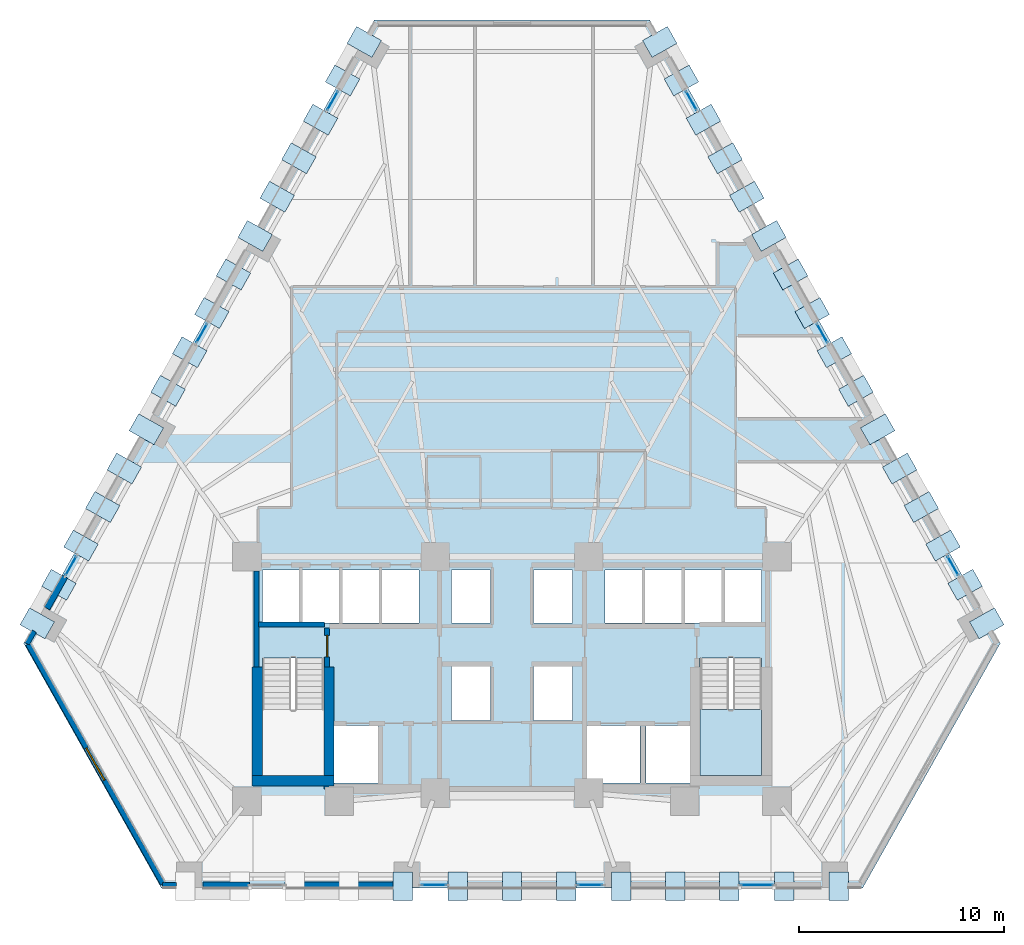
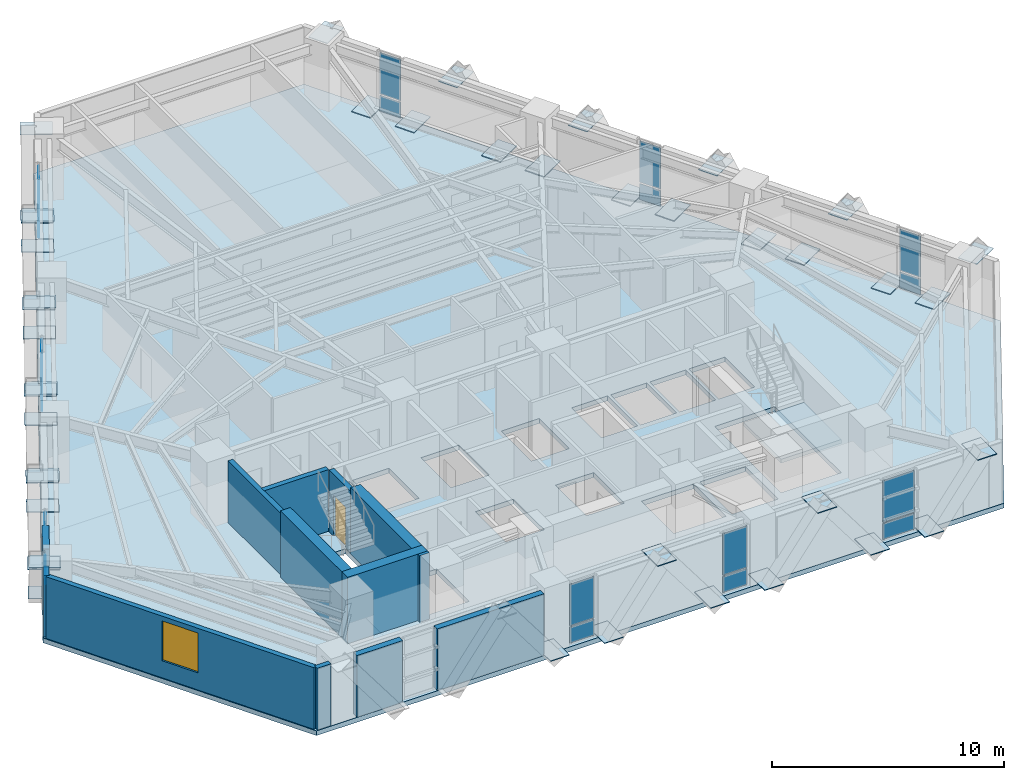
# One storey, part 6 of 13: 59 plates, 12 walls, 2 slabs, 1 door, 1 window, 2 openings, 10 elements without a shape of their own.
"""IFC4 building model written with IfcOpenShell, lengths in metres."""

from ifc_helpers import new_model, si_unit, direction, frame, frame_2d, origin, origin_2d, place, context, subcontext, project, spatial, polyline, rectangle, outline, extrude, material, layer, layer_set, type_object, element, fill, aggregate, save


model = new_model("IFC4")

# Units and contexts
model_context = context("Model", 3, precision=1e-05, world=origin(), true_north=direction((0.0, 1.0)))
body_context = subcontext(model_context, "Body", "Model", "MODEL_VIEW")
ifc_project = project(units=[si_unit("LENGTHUNIT", "METRE"), si_unit("AREAUNIT", "SQUARE_METRE"), si_unit("VOLUMEUNIT", "CUBIC_METRE"), si_unit("PLANEANGLEUNIT", "RADIAN"), si_unit("MASSUNIT", "GRAM", prefix="KILO")], contexts=[model_context])

# Site, building, storey
site_placement = place(None, origin())
site = spatial("IfcSite", under=ifc_project, at=site_placement, CompositionType="ELEMENT")
building_placement = place(site_placement, origin())
building = spatial("IfcBuilding", under=site, at=building_placement, Name="Quenlor Broadcast Tower", CompositionType="ELEMENT")
storey_placement = place(building_placement, frame((0.0, 0.0, 34.60009765625)))
storey = spatial("IfcBuildingStorey", under=building, at=storey_placement, Name="L08", CompositionType="ELEMENT", Elevation=34.60009765625)

# Curtain wall, plates
ifc_material_1 = material(Name="Architectural Terracotta and Low-E Glazing", Category="masonry")
curtain_wall_type = type_object("IfcCurtainWallType", Name="Unitised Terracotta Curtain Wall System Z1", PredefinedType="NOTDEFINED", material=ifc_material_1)
curtain_wall_1_placement = place(storey_placement, origin())
curtain_wall_1 = element("IfcCurtainWall", 1, at=curtain_wall_1_placement, inside=storey, type_object=curtain_wall_type, Name="L08 Curtain Wall CW1 (L08-SA-G1)", PredefinedType="NOTDEFINED")
ifc_material_2 = material(Name="Double Glazed Low-E Solar Glass", Category="glass")
ifc_layer_1 = layer(ifc_material_2, 0.031982421875)
ifc_layer_set_1 = layer_set([ifc_layer_1], Name="CW1 Double Glazed Vision Panel 32")
plate_type_1 = type_object("IfcPlateType", Name="CW1 Double Glazed Vision Panel 32", PredefinedType="CURTAIN_PANEL", material=ifc_layer_set_1)
plate_1_placement = place(storey_placement, frame((11.970703125, -20.840087890625, 0.079833984375), z_axis=(0.0, 0.0, 1.0), x_axis=(-1.0, 0.0, 0.0)))
plate_1 = element("IfcPlate", 2, at=plate_1_placement, type_object=plate_type_1, Name="CW1 panel 1.1", PredefinedType="CURTAIN_PANEL", context=body_context, shape_type="SweptSolid", body=[
    extrude(rectangle(XDim=1.568359375, YDim=0.031982421875, at=origin_2d()), origin(), (0.0, 0.0, 1.0), 0.830078125),
])
plate_2_placement = place(storey_placement, frame((11.970703125, -20.840087890625, 0.98974609375), z_axis=(0.0, 0.0, 1.0), x_axis=(-1.0, 0.0, 0.0)))
plate_2 = element("IfcPlate", 3, at=plate_2_placement, type_object=plate_type_1, Name="CW1 panel 1.2", PredefinedType="CURTAIN_PANEL", context=body_context, shape_type="SweptSolid", body=[
    extrude(rectangle(XDim=1.568359375, YDim=0.031982421875, at=origin_2d()), origin(), (0.0, 0.0, 1.0), 2.179931640625),
])
aggregate(curtain_wall_1, [plate_1, plate_2])

curtain_wall_2_placement = place(storey_placement, origin())
curtain_wall_2 = element("IfcCurtainWall", 4, at=curtain_wall_2_placement, inside=storey, type_object=curtain_wall_type, Name="L08 Curtain Wall CW1 (L08-S-G1)", PredefinedType="NOTDEFINED")
plate_3_placement = place(storey_placement, frame((3.81103515625, -20.840087890625, 0.079833984375), z_axis=(0.0, 0.0, 1.0), x_axis=(-1.0, 0.0, 0.0)))
plate_3 = element("IfcPlate", 5, at=plate_3_placement, type_object=plate_type_1, Name="CW1 panel 1.1", PredefinedType="CURTAIN_PANEL", context=body_context, shape_type="SweptSolid", body=[
    extrude(rectangle(XDim=1.209716796875, YDim=0.031982421875, at=origin_2d()), origin(), (0.0, 0.0, 1.0), 0.830078125),
])
plate_4_placement = place(storey_placement, frame((3.81103515625, -20.840087890625, 0.98974609375), z_axis=(0.0, 0.0, 1.0), x_axis=(-1.0, 0.0, 0.0)))
plate_4 = element("IfcPlate", 6, at=plate_4_placement, type_object=plate_type_1, Name="CW1 panel 1.2", PredefinedType="CURTAIN_PANEL", context=body_context, shape_type="SweptSolid", body=[
    extrude(rectangle(XDim=1.209716796875, YDim=0.031982421875, at=origin_2d()), origin(), (0.0, 0.0, 1.0), 2.179931640625),
])
aggregate(curtain_wall_2, [plate_3, plate_4])

curtain_wall_3_placement = place(storey_placement, origin())
curtain_wall_3 = element("IfcCurtainWall", 7, at=curtain_wall_3_placement, inside=storey, type_object=curtain_wall_type, Name="L08 Curtain Wall CW1 (L08-S-G2)", PredefinedType="NOTDEFINED")
plate_5_placement = place(storey_placement, frame((-3.81103515625, -20.840087890625, 0.079833984375), z_axis=(0.0, 0.0, 1.0), x_axis=(-1.0, 0.0, 0.0)))
plate_5 = element("IfcPlate", 8, at=plate_5_placement, type_object=plate_type_1, Name="CW1 panel 1.1", PredefinedType="CURTAIN_PANEL", context=body_context, shape_type="SweptSolid", body=[
    extrude(rectangle(XDim=1.209716796875, YDim=0.031982421875, at=origin_2d()), origin(), (0.0, 0.0, 1.0), 0.830078125),
])
plate_6_placement = place(storey_placement, frame((-3.81103515625, -20.840087890625, 0.98974609375), z_axis=(0.0, 0.0, 1.0), x_axis=(-1.0, 0.0, 0.0)))
plate_6 = element("IfcPlate", 9, at=plate_6_placement, type_object=plate_type_1, Name="CW1 panel 1.2", PredefinedType="CURTAIN_PANEL", context=body_context, shape_type="SweptSolid", body=[
    extrude(rectangle(XDim=1.209716796875, YDim=0.031982421875, at=origin_2d()), origin(), (0.0, 0.0, 1.0), 2.179931640625),
])
aggregate(curtain_wall_3, [plate_5, plate_6])

curtain_wall_4_placement = place(storey_placement, origin())
curtain_wall_4 = element("IfcCurtainWall", 10, at=curtain_wall_4_placement, inside=storey, type_object=curtain_wall_type, Name="L08 Curtain Wall CW1 (L08-NEA-G1)", PredefinedType="NOTDEFINED")
plate_7_placement = place(storey_placement, frame((8.766845703125, 17.48779296875, 0.079833984375), z_axis=(0.0, 0.0, 1.0), x_axis=(0.490214053392, -0.871602077703, 0.0)))
plate_7 = element("IfcPlate", 11, at=plate_7_placement, type_object=plate_type_1, Name="CW1 panel 1.1", PredefinedType="CURTAIN_PANEL", context=body_context, shape_type="SweptSolid", body=[
    extrude(rectangle(XDim=1.04736328125, YDim=0.031982421875, at=origin_2d()), origin(), (0.0, 0.0, 1.0), 0.830078125),
])
plate_8_placement = place(storey_placement, frame((8.766845703125, 17.48779296875, 0.98974609375), z_axis=(0.0, 0.0, 1.0), x_axis=(0.490214053392, -0.871602077703, 0.0)))
plate_8 = element("IfcPlate", 12, at=plate_8_placement, type_object=plate_type_1, Name="CW1 panel 1.2", PredefinedType="CURTAIN_PANEL", context=body_context, shape_type="SweptSolid", body=[
    extrude(rectangle(XDim=1.04736328125, YDim=0.031982421875, at=origin_2d()), origin(), (0.0, 0.0, 1.0), 2.179931640625),
])
aggregate(curtain_wall_4, [plate_7, plate_8])

curtain_wall_5_placement = place(storey_placement, origin())
curtain_wall_5 = element("IfcCurtainWall", 13, at=curtain_wall_5_placement, inside=storey, type_object=curtain_wall_type, Name="L08 Curtain Wall CW1 (L08-NEC-G1)", PredefinedType="NOTDEFINED")
plate_9_placement = place(storey_placement, frame((21.553955078125, -5.24462890625, 0.079833984375), z_axis=(0.0, 0.0, 1.0), x_axis=(0.490214053392, -0.871602077703, 0.0)))
plate_9 = element("IfcPlate", 14, at=plate_9_placement, type_object=plate_type_1, Name="CW1 panel 1.1", PredefinedType="CURTAIN_PANEL", context=body_context, shape_type="SweptSolid", body=[
    extrude(rectangle(XDim=1.04736328125, YDim=0.031982421875, at=origin_2d()), origin(), (0.0, 0.0, 1.0), 0.830078125),
])
plate_10_placement = place(storey_placement, frame((21.553955078125, -5.24462890625, 0.98974609375), z_axis=(0.0, 0.0, 1.0), x_axis=(0.490214053392, -0.871602077703, 0.0)))
plate_10 = element("IfcPlate", 15, at=plate_10_placement, type_object=plate_type_1, Name="CW1 panel 1.2", PredefinedType="CURTAIN_PANEL", context=body_context, shape_type="SweptSolid", body=[
    extrude(rectangle(XDim=1.04736328125, YDim=0.031982421875, at=origin_2d()), origin(), (0.0, 0.0, 1.0), 2.179931640625),
])
aggregate(curtain_wall_5, [plate_9, plate_10])

curtain_wall_6_placement = place(storey_placement, origin())
curtain_wall_6 = element("IfcCurtainWall", 16, at=curtain_wall_6_placement, inside=storey, type_object=curtain_wall_type, Name="L08 Curtain Wall CW1 (L08-NE-G1)", PredefinedType="NOTDEFINED")
plate_11_placement = place(storey_placement, frame((15.160400390625, 6.12158203125, 0.079833984375), z_axis=(0.0, 0.0, 1.0), x_axis=(0.49027696742, -0.871566690057, 0.0)))
plate_11 = element("IfcPlate", 17, at=plate_11_placement, type_object=plate_type_1, Name="CW1 panel 1.1", PredefinedType="CURTAIN_PANEL", context=body_context, shape_type="SweptSolid", body=[
    extrude(rectangle(XDim=1.04736328125, YDim=0.031982421875, at=origin_2d()), origin(), (0.0, 0.0, 1.0), 0.830078125),
])
plate_12_placement = place(storey_placement, frame((15.160400390625, 6.12158203125, 0.98974609375), z_axis=(0.0, 0.0, 1.0), x_axis=(0.49027696742, -0.871566690057, 0.0)))
plate_12 = element("IfcPlate", 18, at=plate_12_placement, type_object=plate_type_1, Name="CW1 panel 1.2", PredefinedType="CURTAIN_PANEL", context=body_context, shape_type="SweptSolid", body=[
    extrude(rectangle(XDim=1.04736328125, YDim=0.031982421875, at=origin_2d()), origin(), (0.0, 0.0, 1.0), 2.179931640625),
])
aggregate(curtain_wall_6, [plate_11, plate_12])

curtain_wall_7_placement = place(storey_placement, origin())
curtain_wall_7 = element("IfcCurtainWall", 19, at=curtain_wall_7_placement, inside=storey, type_object=curtain_wall_type, Name="L08 Curtain Wall CW1 (L08-NWA-G1)", PredefinedType="NOTDEFINED")
plate_13_placement = place(storey_placement, frame((-21.553955078125, -5.24462890625, 0.079833984375), z_axis=(0.0, 0.0, 1.0), x_axis=(0.490214053392, 0.871602077703, 0.0)))
plate_13 = element("IfcPlate", 20, at=plate_13_placement, type_object=plate_type_1, Name="CW1 panel 1.1", PredefinedType="CURTAIN_PANEL", context=body_context, shape_type="SweptSolid", body=[
    extrude(rectangle(XDim=1.04736328125, YDim=0.031982421875, at=origin_2d()), origin(), (0.0, 0.0, 1.0), 0.830078125),
])
plate_14_placement = place(storey_placement, frame((-21.553955078125, -5.24462890625, 0.98974609375), z_axis=(0.0, 0.0, 1.0), x_axis=(0.490214053392, 0.871602077703, 0.0)))
plate_14 = element("IfcPlate", 21, at=plate_14_placement, type_object=plate_type_1, Name="CW1 panel 1.2", PredefinedType="CURTAIN_PANEL", context=body_context, shape_type="SweptSolid", body=[
    extrude(rectangle(XDim=1.04736328125, YDim=0.031982421875, at=origin_2d()), origin(), (0.0, 0.0, 1.0), 2.179931640625),
])
aggregate(curtain_wall_7, [plate_13, plate_14])

curtain_wall_8_placement = place(storey_placement, origin())
curtain_wall_8 = element("IfcCurtainWall", 22, at=curtain_wall_8_placement, inside=storey, type_object=curtain_wall_type, Name="L08 Curtain Wall CW1 (L08-NWC-G1)", PredefinedType="NOTDEFINED")
plate_15_placement = place(storey_placement, frame((-8.766845703125, 17.48779296875, 0.079833984375), z_axis=(0.0, 0.0, 1.0), x_axis=(0.490214053392, 0.871602077703, 0.0)))
plate_15 = element("IfcPlate", 23, at=plate_15_placement, type_object=plate_type_1, Name="CW1 panel 1.1", PredefinedType="CURTAIN_PANEL", context=body_context, shape_type="SweptSolid", body=[
    extrude(rectangle(XDim=1.04736328125, YDim=0.031982421875, at=origin_2d()), origin(), (0.0, 0.0, 1.0), 0.830078125),
])
plate_16_placement = place(storey_placement, frame((-8.766845703125, 17.48779296875, 0.98974609375), z_axis=(0.0, 0.0, 1.0), x_axis=(0.490214053392, 0.871602077703, 0.0)))
plate_16 = element("IfcPlate", 24, at=plate_16_placement, type_object=plate_type_1, Name="CW1 panel 1.2", PredefinedType="CURTAIN_PANEL", context=body_context, shape_type="SweptSolid", body=[
    extrude(rectangle(XDim=1.04736328125, YDim=0.031982421875, at=origin_2d()), origin(), (0.0, 0.0, 1.0), 2.179931640625),
])
aggregate(curtain_wall_8, [plate_15, plate_16])

curtain_wall_9_placement = place(storey_placement, origin())
curtain_wall_9 = element("IfcCurtainWall", 25, at=curtain_wall_9_placement, inside=storey, type_object=curtain_wall_type, Name="L08 Curtain Wall CW1 (L08-NW-G1)", PredefinedType="NOTDEFINED")
plate_17_placement = place(storey_placement, frame((-15.160400390625, 6.12158203125, 0.079833984375), z_axis=(0.0, 0.0, 1.0), x_axis=(0.49027696742, 0.871566690057, 0.0)))
plate_17 = element("IfcPlate", 26, at=plate_17_placement, type_object=plate_type_1, Name="CW1 panel 1.1", PredefinedType="CURTAIN_PANEL", context=body_context, shape_type="SweptSolid", body=[
    extrude(rectangle(XDim=1.04736328125, YDim=0.031982421875, at=origin_2d()), origin(), (0.0, 0.0, 1.0), 0.830078125),
])
plate_18_placement = place(storey_placement, frame((-15.160400390625, 6.12158203125, 0.98974609375), z_axis=(0.0, 0.0, 1.0), x_axis=(0.49027696742, 0.871566690057, 0.0)))
plate_18 = element("IfcPlate", 27, at=plate_18_placement, type_object=plate_type_1, Name="CW1 panel 1.2", PredefinedType="CURTAIN_PANEL", context=body_context, shape_type="SweptSolid", body=[
    extrude(rectangle(XDim=1.04736328125, YDim=0.031982421875, at=origin_2d()), origin(), (0.0, 0.0, 1.0), 2.179931640625),
])
aggregate(curtain_wall_9, [plate_17, plate_18])

# Stair, slab
ifc_material_3 = material(Name="Precast concrete C40/50", Category="concrete")
stair_type = type_object("IfcStairType", Name="Precast Concrete C40/50 Dogleg Stair H350", PredefinedType="HALF_TURN_STAIR", material=ifc_material_3)
stair_placement = place(storey_placement, origin())
stair = element("IfcStair", 28, at=stair_placement, inside=storey, type_object=stair_type, Name="L08 East Core Fire-Isolated Exit Stair ST-2", PredefinedType="HALF_TURN_STAIR")
ifc_material_4 = material(Name="Precast concrete C40/50", Category="concrete")
ifc_layer_2 = layer(ifc_material_4, 0.199951171875)
ifc_layer_set_2 = layer_set([ifc_layer_2], Name="Precast Concrete C40/50 Stair Landing Slab 200")
slab_type_1 = type_object("IfcSlabType", Name="Precast Concrete C40/50 Stair Landing Slab 200", PredefinedType="LANDING", material=ifc_layer_set_2)
slab_1_placement = place(storey_placement, frame((0.0, 0.0, 1.5498046875)))
slab_1 = element("IfcSlab", 29, at=slab_1_placement, type_object=slab_type_1, Name="ST-2 landing 1", PredefinedType="LANDING", context=body_context, shape_type="SweptSolid", body=[
    extrude(outline(polyline([(9.199951171875, -12.27001953125), (9.199951171875, -15.5), (12.199951171875, -15.5), (12.199951171875, -12.27001953125), (9.199951171875, -12.27001953125)])), origin(), (0.0, 0.0, 1.0), 0.2001953125),
])
aggregate(stair, [slab_1])

# Slab
ifc_material_5 = material(Name="Concrete C40/50", Category="concrete")
ifc_layer_3 = layer(ifc_material_5, 0.25)
ifc_layer_set_3 = layer_set([ifc_layer_3], Name="Tower Composite Concrete C40/50 Slab 250")
slab_type_2 = type_object("IfcSlabType", Name="Tower Composite Concrete C40/50 Slab 250", PredefinedType="FLOOR", material=ifc_layer_set_3)
slab_2_placement = place(storey_placement, frame((0.0, 0.0, -0.25)))
element("IfcSlab", 30, at=slab_2_placement, inside=storey, type_object=slab_type_2, Name="L08 Structural Floor Slab", PredefinedType="FLOOR", context=body_context, shape_type="SweptSolid", body=[
    extrude(outline(polyline([(17.135986328125, -21.0), (23.867919921875, -9.031982421875), (6.73193359375, 21.431884765625), (-6.73193359375, 21.431884765625), (-23.867919921875, -9.031982421875), (-17.135986328125, -21.0), (17.135986328125, -21.0)]), holes=[polyline([(-12.199951171875, -9.758056640625), (-12.199951171875, -15.5), (-9.199951171875, -15.5), (-9.199951171875, -9.758056640625), (-12.199951171875, -9.758056640625)]), polyline([(9.199951171875, -9.758056640625), (9.199951171875, -15.5), (12.199951171875, -15.5), (12.199951171875, -9.758056640625), (9.199951171875, -9.758056640625)]), polyline([(-12.199951171875, -8.050048828125), (-10.39990234375, -8.050048828125), (-10.39990234375, -5.449951171875), (-12.199951171875, -5.449951171875), (-12.199951171875, -8.050048828125)]), polyline([(-10.25, -8.050048828125), (-8.449951171875, -8.050048828125), (-8.449951171875, -5.449951171875), (-10.25, -5.449951171875), (-10.25, -8.050048828125)]), polyline([(-8.300048828125, -8.050048828125), (-6.5, -8.050048828125), (-6.5, -5.449951171875), (-8.300048828125, -5.449951171875), (-8.300048828125, -8.050048828125)]), polyline([(-6.35009765625, -8.050048828125), (-4.550048828125, -8.050048828125), (-4.550048828125, -5.449951171875), (-6.35009765625, -5.449951171875), (-6.35009765625, -8.050048828125)]), polyline([(-2.949951171875, -8.050048828125), (-1.050048828125, -8.050048828125), (-1.050048828125, -5.449951171875), (-2.949951171875, -5.449951171875), (-2.949951171875, -8.050048828125)]), polyline([(1.050048828125, -8.050048828125), (2.949951171875, -8.050048828125), (2.949951171875, -5.449951171875), (1.050048828125, -5.449951171875), (1.050048828125, -8.050048828125)]), polyline([(-2.949951171875, -12.800048828125), (-1.050048828125, -12.800048828125), (-1.050048828125, -10.14990234375), (-2.949951171875, -10.14990234375), (-2.949951171875, -12.800048828125)]), polyline([(1.050048828125, -12.800048828125), (2.949951171875, -12.800048828125), (2.949951171875, -10.14990234375), (1.050048828125, -10.14990234375), (1.050048828125, -12.800048828125)]), polyline([(4.550048828125, -8.050048828125), (6.35009765625, -8.050048828125), (6.35009765625, -5.449951171875), (4.550048828125, -5.449951171875), (4.550048828125, -8.050048828125)]), polyline([(6.5, -8.050048828125), (8.300048828125, -8.050048828125), (8.300048828125, -5.449951171875), (6.5, -5.449951171875), (6.5, -8.050048828125)]), polyline([(8.449951171875, -8.050048828125), (10.25, -8.050048828125), (10.25, -5.449951171875), (8.449951171875, -5.449951171875), (8.449951171875, -8.050048828125)]), polyline([(10.39990234375, -8.050048828125), (12.199951171875, -8.050048828125), (12.199951171875, -5.449951171875), (10.39990234375, -5.449951171875), (10.39990234375, -8.050048828125)]), polyline([(-8.85009765625, -15.85009765625), (-6.550048828125, -15.85009765625), (-6.550048828125, -13.050048828125), (-8.85009765625, -13.050048828125), (-8.85009765625, -15.85009765625)]), polyline([(6.550048828125, -15.85009765625), (8.85009765625, -15.85009765625), (8.85009765625, -13.050048828125), (6.550048828125, -13.050048828125), (6.550048828125, -15.85009765625)]), polyline([(3.64990234375, -15.85009765625), (6.25, -15.85009765625), (6.25, -13.050048828125), (3.64990234375, -13.050048828125), (3.64990234375, -15.85009765625)])]), origin(), (0.0, 0.0, 1.0), 0.25),
])

# Plates
ifc_material_6 = material(Name="Steel S355", Category="steel")
ifc_layer_4 = layer(ifc_material_6, 0.035888671875)
ifc_layer_set_4 = layer_set([ifc_layer_4], Name="Transfer Truss Steel S355 Gusset Node Plate 1400x950x36")
plate_type_2 = type_object("IfcPlateType", Name="Transfer Truss Steel S355 Gusset Node Plate 1400x950x36", PredefinedType="SHEET", material=ifc_layer_set_4)
for number, where, z_axis, x_axis, name in (
    (31, (10.624755859375, -20.89990234375, 0.0419921875), (0.0, 0.0, 1.0), (0.0, -1.0, 0.0), "L08 Lattice Tie Gusset Node S-B2"),
    (32, (7.98046875, -20.89990234375, 3.18212890625), (0.0, 0.0, 1.0), (0.0, -1.0, 0.0), "L08 Lattice Tie Gusset Node S-T3"),
    (33, (13.31689453125, -20.89990234375, 0.0419921875), (0.0, 0.0, 1.0), (0.0, -1.0, 0.0), "L08 Lattice Tie Gusset Node S-B1"),
    (34, (15.9609375, -20.89990234375, 3.18212890625), (0.0, 0.0, 1.0), (0.0, -1.0, 0.0), "L08 Lattice Tie Gusset Node S-T0"),
    (35, (2.644287109375, -20.89990234375, 0.0419921875), (0.0, 0.0, 1.0), (0.0, -1.0, 0.0), "L08 Lattice Tie Gusset Node S-B5"),
    (36, (0.0, -20.89990234375, 3.18212890625), (0.0, 0.0, 1.0), (0.0, -1.0, 0.0), "L08 Lattice Tie Gusset Node S-T6"),
    (37, (5.336181640625, -20.89990234375, 0.0419921875), (0.0, 0.0, 1.0), (0.0, -1.0, 0.0), "L08 Lattice Tie Gusset Node S-B4"),
    (38, (-5.336181640625, -20.89990234375, 0.0419921875), (0.0, 0.0, 1.0), (0.0, -1.0, 0.0), "L08 Lattice Tie Gusset Node S-B8"),
    (39, (-2.644287109375, -20.89990234375, 0.0419921875), (0.0, 0.0, 1.0), (0.0, -1.0, 0.0), "L08 Lattice Tie Gusset Node S-B7"),
    (40, (9.3583984375, 16.558837890625, 0.0419921875), (0.0, 0.0, 1.0), (0.871556314255, 0.490295412055, 0.0), "L08 Lattice Tie Gusset Node NE-B2"),
    (41, (10.41748046875, 14.67578125, 3.18212890625), (0.0, 0.0, 1.0), (0.871556314255, 0.490295412055, 0.0), "L08 Lattice Tie Gusset Node NE-T3"),
    (42, (8.280029296875, 18.475830078125, 0.0419921875), (0.0, 0.0, 1.0), (0.871556314255, 0.490295412055, 0.0), "L08 Lattice Tie Gusset Node NE-B1"),
    (43, (7.220947265625, 20.35888671875, 3.18212890625), (0.0, 0.0, 1.0), (0.871556314255, 0.490295412055, 0.0), "L08 Lattice Tie Gusset Node NE-T0"),
    (44, (12.55517578125, 10.87548828125, 0.0419921875), (0.0, 0.0, 1.0), (0.871556314255, 0.490295412055, 0.0), "L08 Lattice Tie Gusset Node NE-B5"),
    (45, (13.614501953125, 8.99267578125, 3.18212890625), (0.0, 0.0, 1.0), (0.871556314255, 0.490295412055, 0.0), "L08 Lattice Tie Gusset Node NE-T6"),
    (46, (11.476806640625, 12.792724609375, 0.0419921875), (0.0, 0.0, 1.0), (0.871556314255, 0.490295412055, 0.0), "L08 Lattice Tie Gusset Node NE-B4"),
    (47, (15.751953125, 5.1923828125, 0.0419921875), (0.0, 0.0, 1.0), (0.871556314255, 0.490295412055, 0.0), "L08 Lattice Tie Gusset Node NE-B8"),
    (48, (16.811279296875, 3.309326171875, 3.18212890625), (0.0, 0.0, 1.0), (0.871556314255, 0.490295412055, 0.0), "L08 Lattice Tie Gusset Node NE-T9"),
    (49, (14.673583984375, 7.109619140625, 0.0419921875), (0.0, 0.0, 1.0), (0.871556314255, 0.490295412055, 0.0), "L08 Lattice Tie Gusset Node NE-B7"),
    (50, (18.94873046875, -0.49072265625, 0.0419921875), (0.0, 0.0, 1.0), (0.871556314255, 0.490295412055, 0.0), "L08 Lattice Tie Gusset Node NE-B11"),
    (51, (20.008056640625, -2.373779296875, 3.18212890625), (0.0, 0.0, 1.0), (0.871556314255, 0.490295412055, 0.0), "L08 Lattice Tie Gusset Node NE-T12"),
    (52, (17.870361328125, 1.426513671875, 0.0419921875), (0.0, 0.0, 1.0), (0.871556314255, 0.490295412055, 0.0), "L08 Lattice Tie Gusset Node NE-B10"),
    (53, (22.1455078125, -6.173828125, 0.0419921875), (0.0, 0.0, 1.0), (0.871556314255, 0.490295412055, 0.0), "L08 Lattice Tie Gusset Node NE-B14"),
    (54, (23.20458984375, -8.056884765625, 3.18212890625), (0.0, 0.0, 1.0), (0.871556314255, 0.490295412055, 0.0), "L08 Lattice Tie Gusset Node NE-T15"),
    (55, (21.067138671875, -4.256591796875, 0.0419921875), (0.0, 0.0, 1.0), (0.871556314255, 0.490295412055, 0.0), "L08 Lattice Tie Gusset Node NE-B13"),
    (56, (-21.067138671875, -4.256591796875, 0.0419921875), (0.0, 0.0, 1.0), (-0.871556314255, 0.490295412055, 0.0), "L08 Lattice Tie Gusset Node NW-B2"),
    (57, (-20.008056640625, -2.373779296875, 3.18212890625), (0.0, 0.0, 1.0), (-0.871556314255, 0.490295412055, 0.0), "L08 Lattice Tie Gusset Node NW-T3"),
    (58, (-22.1455078125, -6.173828125, 0.0419921875), (0.0, 0.0, 1.0), (-0.871556314255, 0.490295412055, 0.0), "L08 Lattice Tie Gusset Node NW-B1"),
    (59, (-23.20458984375, -8.056884765625, 3.18212890625), (0.0, 0.0, 1.0), (-0.871556314255, 0.490295412055, 0.0), "L08 Lattice Tie Gusset Node NW-T0"),
    (60, (-17.870361328125, 1.426513671875, 0.0419921875), (0.0, 0.0, 1.0), (-0.871556314255, 0.490295412055, 0.0), "L08 Lattice Tie Gusset Node NW-B5"),
    (61, (-16.811279296875, 3.309326171875, 3.18212890625), (0.0, 0.0, 1.0), (-0.871556314255, 0.490295412055, 0.0), "L08 Lattice Tie Gusset Node NW-T6"),
    (62, (-18.94873046875, -0.49072265625, 0.0419921875), (0.0, 0.0, 1.0), (-0.871556314255, 0.490295412055, 0.0), "L08 Lattice Tie Gusset Node NW-B4"),
    (63, (-14.673583984375, 7.109619140625, 0.0419921875), (0.0, 0.0, 1.0), (-0.871556314255, 0.490295412055, 0.0), "L08 Lattice Tie Gusset Node NW-B8"),
    (64, (-13.614501953125, 8.99267578125, 3.18212890625), (0.0, 0.0, 1.0), (-0.871556314255, 0.490295412055, 0.0), "L08 Lattice Tie Gusset Node NW-T9"),
    (65, (-15.751953125, 5.1923828125, 0.0419921875), (0.0, 0.0, 1.0), (-0.871556314255, 0.490295412055, 0.0), "L08 Lattice Tie Gusset Node NW-B7"),
    (66, (-11.476806640625, 12.792724609375, 0.0419921875), (0.0, 0.0, 1.0), (-0.871556314255, 0.490295412055, 0.0), "L08 Lattice Tie Gusset Node NW-B11"),
    (67, (-10.41748046875, 14.67578125, 3.18212890625), (0.0, 0.0, 1.0), (-0.871556314255, 0.490295412055, 0.0), "L08 Lattice Tie Gusset Node NW-T12"),
    (68, (-12.55517578125, 10.87548828125, 0.0419921875), (0.0, 0.0, 1.0), (-0.871556314255, 0.490295412055, 0.0), "L08 Lattice Tie Gusset Node NW-B10"),
    (69, (-8.280029296875, 18.475830078125, 0.0419921875), (0.0, 0.0, 1.0), (-0.871556314255, 0.490295412055, 0.0), "L08 Lattice Tie Gusset Node NW-B14"),
    (70, (-7.220947265625, 20.35888671875, 3.18212890625), (0.0, 0.0, 1.0), (-0.871556314255, 0.490295412055, 0.0), "L08 Lattice Tie Gusset Node NW-T15"),
    (71, (-9.3583984375, 16.558837890625, 0.0419921875), (0.0, 0.0, 1.0), (-0.871556314255, 0.490295412055, 0.0), "L08 Lattice Tie Gusset Node NW-B13"),
):
    element("IfcPlate", number, at=place(storey_placement, frame(where, z_axis=z_axis, x_axis=x_axis)), inside=storey, type_object=plate_type_2, Name=name, PredefinedType="SHEET", context=body_context, shape_type="SweptSolid", body=[
        extrude(rectangle(XDim=1.39990234375, YDim=0.949951171875, at=origin_2d()), origin(), (0.0, 0.0, 1.0), 0.035888671875),
    ])

# Walls
ifc_material_7 = material(Name="Concrete C65/80", Category="concrete")
ifc_layer_5 = layer(ifc_material_7, 0.5)
ifc_layer_set_5 = layer_set([ifc_layer_5], Name="Core Concrete C65/80 Shear Wall 500")
wall_type_1 = type_object("IfcWallType", Name="Core Concrete C65/80 Shear Wall 500", PredefinedType="SHEAR", material=ifc_layer_set_5)
wall_1_placement = place(storey_placement, frame((-12.699951171875, -15.75, 0.0), z_axis=(0.0, 0.0, 1.0), x_axis=(1.0, 0.0, 0.0)))
element("IfcWall", 72, at=wall_1_placement, inside=storey, type_object=wall_type_1, Name="L08 Core Shear Wall WS-W1", PredefinedType="SHEAR", context=body_context, shape_type="SweptSolid", body=[
    extrude(rectangle(XDim=4.0, YDim=0.5, at=frame_2d((2.0, 0.0))), origin(), (0.0, 0.0, 1.0), 3.5),
])
wall_2_placement = place(storey_placement, frame((-12.449951171875, -15.75, 0.0), z_axis=(0.0, 0.0, 1.0), x_axis=(0.0, 1.0, 0.0)))
element("IfcWall", 73, at=wall_2_placement, inside=storey, type_object=wall_type_1, Name="L08 Core Shear Wall WF-W", PredefinedType="SHEAR", context=body_context, shape_type="SweptSolid", body=[
    extrude(rectangle(XDim=5.550048828125, YDim=0.5, at=frame_2d((2.77490234375, 0.0))), origin(), (0.0, 0.0, 1.0), 3.5),
])
wall_3_placement = place(storey_placement, frame((-8.949951171875, -16.14990234375, 0.0), z_axis=(0.0, 0.0, 1.0), x_axis=(0.0, 1.0, 0.0)))
element("IfcWall", 74, at=wall_3_placement, inside=storey, type_object=wall_type_1, Name="L08 Core Shear Wall WI-W", PredefinedType="SHEAR", context=body_context, shape_type="SweptSolid", body=[
    extrude(rectangle(XDim=5.949951171875, YDim=0.5, at=frame_2d((2.97509765625, 0.0))), origin(), (0.0, 0.0, 1.0), 3.5),
])

# Wall, opening, door
ifc_material_8 = material(Name="Concrete C40/50", Category="concrete")
ifc_layer_6 = layer(ifc_material_8, 0.25)
ifc_layer_set_6 = layer_set([ifc_layer_6], Name="Fire Rated Concrete C40/50 Core Wall 250")
wall_type_2 = type_object("IfcWallType", Name="Fire Rated Concrete C40/50 Core Wall 250", PredefinedType="PARTITIONING", material=ifc_layer_set_6)
wall_4_placement = place(storey_placement, frame((-9.0400390625, -10.179931640625, 0.0), z_axis=(0.0, 0.0, 1.0), x_axis=(0.0, 1.0, 0.0)))
wall_4 = element("IfcWall", 75, at=wall_4_placement, inside=storey, type_object=wall_type_2, Name="L08 Interior Wall CW-ST1-DR", PredefinedType="PARTITIONING", context=body_context, shape_type="SweptSolid", body=[
    extrude(rectangle(XDim=1.89990234375, YDim=0.25, at=frame_2d((0.949951171875, 0.0))), origin(), (0.0, 0.0, 1.0), 3.25),
])
opening_1_placement = place(wall_4_placement, frame((0.47998046875, 0.0, 0.0)))
opening_1 = element("IfcOpeningElement", 76, at=opening_1_placement, cuts=wall_4, Name="Opening FD-1", PredefinedType="OPENING", context=body_context, shape_type="SweptSolid", body=[
    extrude(rectangle(XDim=1.050048828125, YDim=2.14990234375, at=frame_2d((0.52490234375, 1.074951171875))), frame((0.0, 0.135009765625, 0.0), z_axis=(0.0, -1.0, 0.0), x_axis=(1.0, 0.0, 0.0)), (0.0, 0.0, 1.0), 0.27001953125),
])
ifc_material_9 = material(Name="Fire Rated Steel Door Leaf", Category="steel")
door_type = type_object("IfcDoorType", Name="Fire Isolated Stair Door 1050x2150", OperationType="NOTDEFINED", PredefinedType="DOOR", material=ifc_material_9)
door_placement = place(opening_1_placement, origin())
door = element("IfcDoor", 77, at=door_placement, inside=storey, type_object=door_type, Name="L08 Door DR-ST1", OperationType="SINGLE_SWING_LEFT", OverallHeight=2.14990234375, OverallWidth=1.050048828125, PredefinedType="DOOR", context=body_context, shape_type="SweptSolid", body=[
    extrude(rectangle(XDim=1.050048828125, YDim=2.14990234375, at=frame_2d((0.52490234375, 1.074951171875))), frame((0.0, 0.02490234375, 0.0), z_axis=(0.0, -1.0, 0.0), x_axis=(1.0, 0.0, 0.0)), (0.0, 0.0, 1.0), 0.050048828125),
])
fill(opening_1, door)

# Walls
wall_5_placement = place(storey_placement, frame((-12.3798828125, -8.1201171875, 0.0), z_axis=(0.0, 0.0, 1.0), x_axis=(1.0, 0.0, 0.0)))
element("IfcWall", 78, at=wall_5_placement, inside=storey, type_object=wall_type_2, Name="L08 Interior Wall CW-ST1-N", PredefinedType="PARTITIONING", context=body_context, shape_type="SweptSolid", body=[
    extrude(rectangle(XDim=3.219970703125, YDim=0.25, at=frame_2d((1.60986328125, 0.0))), origin(), (0.0, 0.0, 1.0), 3.25),
])
wall_6_placement = place(storey_placement, frame((-12.47998046875, -10.179931640625, 0.0), z_axis=(0.0, 0.0, 1.0), x_axis=(0.0, 1.0, 0.0)))
element("IfcWall", 79, at=wall_6_placement, inside=storey, type_object=wall_type_2, Name="L08 Interior Wall CW-ST1-W2", PredefinedType="PARTITIONING", context=body_context, shape_type="SweptSolid", body=[
    extrude(rectangle(XDim=4.677978515625, YDim=0.25, at=frame_2d((2.3388671875, 0.0))), origin(), (0.0, 0.0, 1.0), 3.25),
])
ifc_material_10 = material(Name="Precast concrete C40/50", Category="concrete")
ifc_layer_7 = layer(ifc_material_10, 0.239990234375)
ifc_layer_set_7 = layer_set([ifc_layer_7], Name="Terrace Threshold Precast Concrete C40/50 Wall 240")
wall_type_3 = type_object("IfcWallType", Name="Terrace Threshold Precast Concrete C40/50 Wall 240", PredefinedType="STANDARD", material=ifc_layer_set_7)
wall_7_placement = place(storey_placement, frame((-16.39501953125, -20.840087890625, 0.0), z_axis=(0.0, 0.0, 1.0), x_axis=(-1.0, 0.0, 0.0)))
element("IfcWall", 80, at=wall_7_placement, inside=storey, type_object=wall_type_3, Name="L08 Exterior Wall L08-SHD-SS1", PredefinedType="STANDARD", context=body_context, shape_type="SweptSolid", body=[
    extrude(rectangle(XDim=0.680908203125, YDim=0.239990234375, at=frame_2d((0.34033203125, 0.0))), origin(), (0.0, 0.0, 1.0), 3.25),
])
wall_8_placement = place(storey_placement, frame((-23.69921875, -9.05810546875, 0.0), z_axis=(0.0, 0.0, 1.0), x_axis=(0.490523074758, 0.871428203084, 0.0)))
element("IfcWall", 81, at=wall_8_placement, inside=storey, type_object=wall_type_3, Name="L08 Exterior Wall L08-SHD-NWS0", PredefinedType="STANDARD", context=body_context, shape_type="SweptSolid", body=[
    extrude(rectangle(XDim=0.708251953125, YDim=0.239990234375, at=frame_2d((0.35400390625, 0.0))), origin(), (0.0, 0.0, 1.0), 3.25),
])

# Wall, opening, window
wall_9_placement = place(storey_placement, frame((-23.659912109375, -9.07568359375, 0.0), z_axis=(0.0, 0.0, 1.0), x_axis=(0.490268135177, -0.871571658345, 0.0)))
wall_9 = element("IfcWall", 82, at=wall_9_placement, inside=storey, type_object=wall_type_3, Name="L08 Exterior Wall L08-CNR-04", PredefinedType="STANDARD", context=body_context, shape_type="SweptSolid", body=[
    extrude(rectangle(XDim=13.44775390625, YDim=0.239990234375, at=frame_2d((6.723876953125, 0.0))), origin(), (0.0, 0.0, 1.0), 3.25),
])
opening_2_placement = place(wall_9_placement, frame((5.823974609375, 0.0, 0.89990234375)))
opening_2 = element("IfcOpeningElement", 83, at=opening_2_placement, cuts=wall_9, Name="Opening WN-1", PredefinedType="OPENING", context=body_context, shape_type="SweptSolid", body=[
    extrude(rectangle(XDim=1.800048828125, YDim=2.10009765625, at=frame_2d((0.89990234375, 1.050048828125))), frame((0.0, 0.1298828125, 0.0), z_axis=(0.0, -1.0, 0.0), x_axis=(1.0, 0.0, 0.0)), (0.0, 0.0, 1.0), 0.260009765625),
])
ifc_material_11 = material(Name="Thermally Broken Aluminium and Low-E Glass", Category="aluminium")
window_type = type_object("IfcWindowType", Name="Tower Acoustic Vision Window 1800x2100", PartitioningType="SINGLE_PANEL", PredefinedType="WINDOW", material=ifc_material_11)
window_placement = place(opening_2_placement, origin())
window = element("IfcWindow", 84, at=window_placement, inside=storey, type_object=window_type, Name="L08 Corner Chamfer Window 4", OverallHeight=2.10009765625, OverallWidth=1.800048828125, PartitioningType="SINGLE_PANEL", PredefinedType="WINDOW", context=body_context, shape_type="SweptSolid", body=[
    extrude(rectangle(XDim=1.800048828125, YDim=2.10009765625, at=frame_2d((0.89990234375, 1.050048828125))), frame((0.0, 0.030029296875, 0.0), z_axis=(0.0, -1.0, 0.0), x_axis=(1.0, 0.0, 0.0)), (0.0, 0.0, 1.0), 0.06005859375),
])
fill(opening_2, window)

# Walls
ifc_material_12 = material(Name="Precast concrete C40/50", Category="concrete")
ifc_layer_8 = layer(ifc_material_12, 0.300048828125)
ifc_layer_set_8 = layer_set([ifc_layer_8], Name="Terracotta Precast Concrete C40/50 Spandrel Wall 300")
wall_type_4 = type_object("IfcWallType", Name="Terracotta Precast Concrete C40/50 Spandrel Wall 300", PredefinedType="STANDARD", material=ifc_layer_set_8)
wall_10_placement = place(storey_placement, frame((-5.790771484375, -20.840087890625, 0.0), z_axis=(0.0, 0.0, 1.0), x_axis=(-1.0, 0.0, 0.0)))
element("IfcWall", 85, at=wall_10_placement, inside=storey, type_object=wall_type_4, Name="L08 Exterior Wall L08-SC-SP1", PredefinedType="STANDARD", context=body_context, shape_type="SweptSolid", body=[
    extrude(rectangle(XDim=5.31591796875, YDim=0.300048828125, at=frame_2d((2.657958984375, 0.0))), origin(), (0.0, 0.0, 1.0), 3.25),
])
wall_11_placement = place(storey_placement, frame((-12.8349609375, -20.840087890625, 0.0), z_axis=(0.0, 0.0, 1.0), x_axis=(-1.0, 0.0, 0.0)))
element("IfcWall", 86, at=wall_11_placement, inside=storey, type_object=wall_type_4, Name="L08 Exterior Wall L08-SC-SP2", PredefinedType="STANDARD", context=body_context, shape_type="SweptSolid", body=[
    extrude(rectangle(XDim=2.280029296875, YDim=0.300048828125, at=frame_2d((1.14013671875, 0.0))), origin(), (0.0, 0.0, 1.0), 3.25),
])
wall_12_placement = place(storey_placement, frame((-22.724365234375, -7.3251953125, 0.0), z_axis=(0.0, 0.0, 1.0), x_axis=(0.490274239922, 0.871568224334, 0.0)))
element("IfcWall", 87, at=wall_12_placement, inside=storey, type_object=wall_type_4, Name="L08 Exterior Wall L08-NWA-SP1", PredefinedType="STANDARD", context=body_context, shape_type="SweptSolid", body=[
    extrude(rectangle(XDim=1.783203125, YDim=0.300048828125, at=frame_2d((0.8916015625, 0.0))), origin(), (0.0, 0.0, 1.0), 3.25),
])

save(model, "model.ifc")
